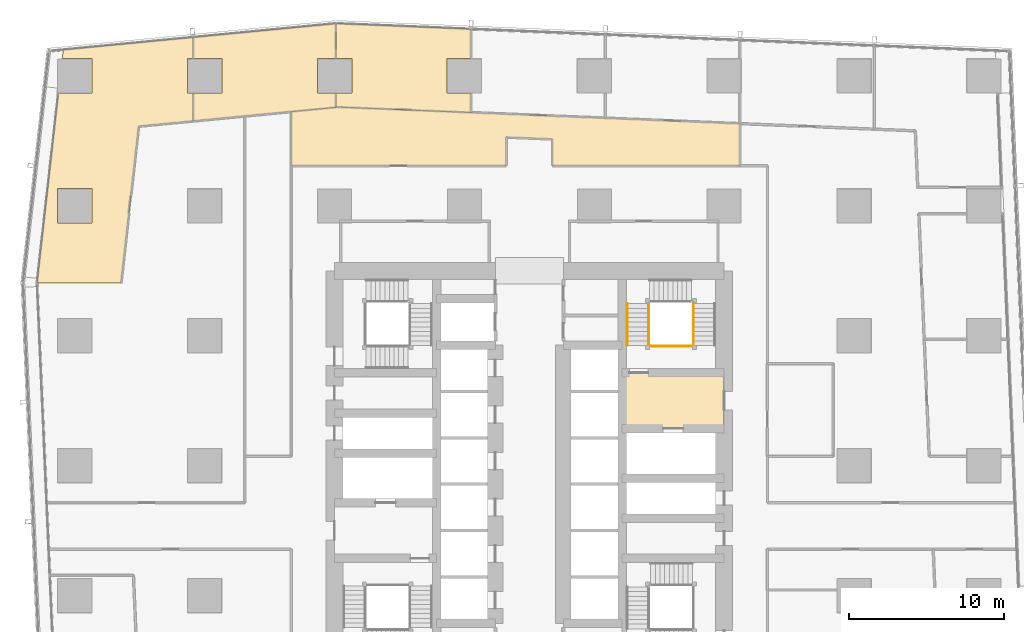
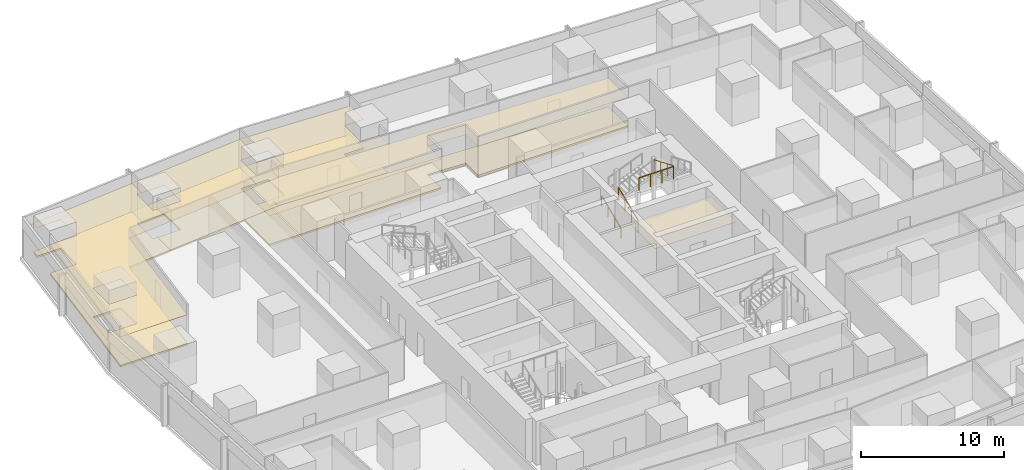
# One storey, part 42 of 44: 9 coverings, 4 railings.
"""IFC4 building model written with IfcOpenShell, lengths in metres."""

import ifcopenshell
import ifcopenshell.guid

model = None  # the IFC model being written
_history = None  # IfcOwnerHistory: only IFC2X3 demands one
_inside = {}  # id of a spatial element -> (the spatial element, [elements in it])
_under = {}  # id of a project, library or spatial element -> (it, [spatial elements below it])
_declared = {}  # id of a project -> (the project, [libraries it declares])
_typed = {}  # id of a type object -> (the type object, [elements of that type])
_made_of = {}  # id of a material, layer set ... -> (it, [elements and type objects made of it])


def new_model(schema):
    """Start an empty IFC model of exactly this schema.

    Asked for "IFC4X3", IfcOpenShell would pick the latest addendum, in which some entities
    have other attributes; the version numbers below select the first issue.
    IFC2X3 requires an IfcOwnerHistory on every rooted entity: one is made here for all.
    """
    global model, _history
    if schema == "IFC4X3":
        model = ifcopenshell.file(schema_version=(4, 3, 0, 0))
    else:
        model = ifcopenshell.file(schema=schema)
    _inside.clear()
    _under.clear()
    _declared.clear()
    _typed.clear()
    _made_of.clear()
    _history = None
    if model.schema == "IFC2X3":
        org = make("IfcOrganization", Name="unknown")
        user = make(
            "IfcPersonAndOrganization",
            ThePerson=make("IfcPerson", FamilyName="unknown"),
            TheOrganization=org,
        )
        app = make(
            "IfcApplication",
            ApplicationDeveloper=org,
            Version="unknown",
            ApplicationFullName="unknown",
            ApplicationIdentifier="unknown",
        )
        _history = make(
            "IfcOwnerHistory",
            OwningUser=user,
            OwningApplication=app,
            ChangeAction="ADDED",
            CreationDate=0,
        )
    return model


def make(cls, **values):
    """One entity of the class cls with the attributes given. An attribute that is None is left unset."""
    return model.create_entity(
        cls, **{name: value for name, value in values.items() if value is not None}
    )


def rooted(cls, **values):
    """An entity with a GlobalId (a new one), such as an element, a storey or a relation."""
    return make(cls, GlobalId=ifcopenshell.guid.new(), OwnerHistory=_history, **values)


def si_unit(unit_type, name, prefix=None):
    """IfcSIUnit, for example si_unit("LENGTHUNIT", "METRE", prefix="MILLI")."""
    return make("IfcSIUnit", UnitType=unit_type, Prefix=prefix, Name=name)


def assignment(units):
    """IfcUnitAssignment: the units of a project."""
    return None if units is None else make("IfcUnitAssignment", Units=units)


def point(xyz):
    """IfcCartesianPoint."""
    return None if xyz is None else make("IfcCartesianPoint", Coordinates=xyz)


def direction(xyz):
    """IfcDirection."""
    return None if xyz is None else make("IfcDirection", DirectionRatios=xyz)


def frame(location, z_axis=None, x_axis=None):
    """IfcAxis2Placement3D, a coordinate frame: its origin and axes. An axis left out is left unset."""
    return make(
        "IfcAxis2Placement3D",
        Location=point(location),
        Axis=direction(z_axis),
        RefDirection=direction(x_axis),
    )


def frame_2d(location, x_axis=None):
    """IfcAxis2Placement2D, a coordinate frame in the plane: its origin and x axis."""
    return make(
        "IfcAxis2Placement2D", Location=point(location), RefDirection=direction(x_axis)
    )


def origin():
    """The frame at (0, 0, 0) with its axes left unset."""
    return frame((0.0, 0.0, 0.0))


def origin_2d():
    """The frame at (0, 0) in the plane with its x axis left unset."""
    return frame_2d((0.0, 0.0))


def place(relative_to, where):
    """IfcLocalPlacement: puts the frame where relative to a parent placement (None: the world)."""
    return make(
        "IfcLocalPlacement", PlacementRelTo=relative_to, RelativePlacement=where
    )


def context(
    kind, dimensions, precision=None, world=None, true_north=None, identifier=None
):
    """IfcGeometricRepresentationContext, for example the 3D "Model" context."""
    return make(
        "IfcGeometricRepresentationContext",
        ContextIdentifier=identifier,
        ContextType=kind,
        CoordinateSpaceDimension=dimensions,
        Precision=precision,
        WorldCoordinateSystem=world,
        TrueNorth=true_north,
    )


def subcontext(parent, identifier, kind, view, scale=None):
    """IfcGeometricRepresentationSubContext, for example "Body" below "Model"."""
    return make(
        "IfcGeometricRepresentationSubContext",
        ContextIdentifier=identifier,
        ContextType=kind,
        ParentContext=parent,
        TargetScale=scale,
        TargetView=view,
    )


def project(units=None, contexts=None):
    """IfcProject with its units and contexts."""
    return rooted(
        "IfcProject",
        Name="project",
        RepresentationContexts=contexts,
        UnitsInContext=assignment(units),
    )


def spatial(cls, under=None, at=None, **own):
    """A site, building, storey or space (cls), placed at a placement, below another one or the project."""
    s = rooted(cls, ObjectPlacement=at, **own)
    if under is not None:
        _under.setdefault(under.id(), (under, []))[1].append(s)
    return s


def polyline(points):
    """IfcPolyline through the points."""
    return make("IfcPolyline", Points=[point(p) for p in points])


def profile(cls, at=None, kind="AREA", **sizes):
    """A parametric profile (cls). Its sizes go by their IFC names, for example OverallWidth=200.0."""
    return make(cls, ProfileType=kind, Position=at, **sizes)


def circle(**sizes):
    """IfcCircleProfileDef."""
    return profile("IfcCircleProfileDef", **sizes)


def outline(outer, holes=None, kind="AREA"):
    """IfcArbitraryClosedProfileDef: a profile drawn as a closed curve; with holes, ...WithVoids."""
    if holes is None:
        return make("IfcArbitraryClosedProfileDef", ProfileType=kind, OuterCurve=outer)
    return make(
        "IfcArbitraryProfileDefWithVoids",
        ProfileType=kind,
        OuterCurve=outer,
        InnerCurves=holes,
    )


def extrude(swept, where, along, depth):
    """IfcExtrudedAreaSolid: the profile swept, set in the frame where, extruded along a direction by depth."""
    return make(
        "IfcExtrudedAreaSolid",
        SweptArea=swept,
        Position=where,
        ExtrudedDirection=direction(along),
        Depth=depth,
    )


def shape(context_of_items, identifier, shape_type, items):
    """IfcShapeRepresentation: the items that make up one representation, for example the "Body"."""
    return make(
        "IfcShapeRepresentation",
        ContextOfItems=context_of_items,
        RepresentationIdentifier=identifier,
        RepresentationType=shape_type,
        Items=items,
    )


def material(Name=None, Category=None):
    """IfcMaterial."""
    return make("IfcMaterial", Name=Name, Category=Category)


def layer(
    of_material, thickness, ventilated=None, Name=None, Category=None, Priority=None
):
    """IfcMaterialLayer: one layer of a wall or slab, of a material (None: an air gap)."""
    return make(
        "IfcMaterialLayer",
        Material=of_material,
        LayerThickness=thickness,
        IsVentilated=ventilated,
        Name=Name,
        Category=Category,
        Priority=Priority,
    )


def layer_set(layers, Name=None):
    """IfcMaterialLayerSet."""
    return make("IfcMaterialLayerSet", MaterialLayers=layers, LayerSetName=Name)


def made_of(thing, what):
    """Note that an element or type object is made of a material, layer set ...; save() writes the relation."""
    if what is not None:
        _made_of.setdefault(what.id(), (what, []))[1].append(thing)
    return thing


def type_object(cls, material=None, **own):
    """A type object (cls), such as IfcWallType, which elements share."""
    return made_of(rooted(cls, **own), material)


def element(
    cls,
    number,
    at=None,
    inside=None,
    cuts=None,
    type_object=None,
    material=None,
    context=None,
    identifier="Body",
    shape_type=None,
    held_by="IfcProductDefinitionShape",
    body=None,
    shapes=None,
    **own,
):
    """One element of the class cls, such as IfcWall. Its Tag is "e" and its number.

    at: its placement. inside: the storey or other place that contains it. cuts: it is an
    opening in that element (IfcRelVoidsElement). A single representation is given by context,
    identifier, shape_type and body (its items); several are given by shapes. held_by: the class
    of the entity that holds the representations. save() writes the other relations.
    """
    e = rooted(cls, Tag="e%d" % number, ObjectPlacement=at, **own)
    if body is not None:
        shapes = [shape(context, identifier, shape_type, body)]
    if shapes is not None:
        e.Representation = make(held_by, Representations=shapes)
    if inside is not None:
        _inside.setdefault(inside.id(), (inside, []))[1].append(e)
    if cuts is not None:
        rooted(
            "IfcRelVoidsElement", RelatingBuildingElement=cuts, RelatedOpeningElement=e
        )
    if type_object is not None:
        _typed.setdefault(type_object.id(), (type_object, []))[1].append(e)
    return made_of(e, material)


def aggregate(whole, parts):
    """IfcRelAggregates: a whole, such as a stair, and the parts it consists of."""
    return rooted("IfcRelAggregates", RelatingObject=whole, RelatedObjects=parts)


def save(model, path):
    """Write the relations noted so far, then the file.

    IfcRelAggregates (storeys below a building ...), IfcRelContainedInSpatialStructure (elements
    in a storey), IfcRelDefinesByType, IfcRelAssociatesMaterial and IfcRelDeclares: one each for
    every whole, place, type object, material and project.
    """
    for whole, parts in _under.values():
        aggregate(whole, parts)
    for where, things in _inside.values():
        rooted(
            "IfcRelContainedInSpatialStructure",
            RelatedElements=things,
            RelatingStructure=where,
        )
    for kind, things in _typed.values():
        rooted("IfcRelDefinesByType", RelatedObjects=things, RelatingType=kind)
    for what, things in _made_of.values():
        rooted("IfcRelAssociatesMaterial", RelatedObjects=things, RelatingMaterial=what)
    for by, libraries in _declared.values():
        rooted("IfcRelDeclares", RelatingContext=by, RelatedDefinitions=libraries)
    model.write(path)


model = new_model("IFC4")

# Units and contexts
model_context = context("Model", 3, precision=1e-05, world=origin(), true_north=direction((0.0, 1.0)))
body_context = subcontext(model_context, "Body", "Model", "MODEL_VIEW")
ifc_project = project(units=[si_unit("LENGTHUNIT", "METRE"), si_unit("AREAUNIT", "SQUARE_METRE"), si_unit("VOLUMEUNIT", "CUBIC_METRE"), si_unit("PLANEANGLEUNIT", "RADIAN"), si_unit("MASSUNIT", "GRAM", prefix="KILO")], contexts=[model_context])

# Site, building, storey
site_placement = place(None, origin())
site = spatial("IfcSite", under=ifc_project, at=site_placement, CompositionType="ELEMENT")
building_placement = place(site_placement, origin())
building = spatial("IfcBuilding", under=site, at=building_placement, Name="Rekha Terrace Tower", CompositionType="ELEMENT")
storey_placement = place(building_placement, frame((0.0, 0.0, 74.14990234375)))
storey = spatial("IfcBuildingStorey", under=building, at=storey_placement, Name="L18", CompositionType="ELEMENT", Elevation=74.14990234375)

# Coverings
ifc_material_1 = material(Name="Mineral fibre tile in exposed grid", Category="finish")
ifc_layer_1 = layer(ifc_material_1, 0.02001953125)
ifc_layer_set_1 = layer_set([ifc_layer_1], Name="Mineral fibre tile in exposed grid")
covering_type_1 = type_object("IfcCoveringType", Name="CL1 600x1200 office grid ceiling", PredefinedType="CEILING", material=ifc_layer_set_1)
covering_1_placement = place(storey_placement, frame((0.0, 0.0, 2.580078125)))
element("IfcCovering", 1, at=covering_1_placement, inside=storey, type_object=covering_type_1, Name="Ceiling L18-14", PredefinedType="CEILING", context=body_context, shape_type="SweptSolid", body=[
    extrude(outline(polyline([(34.02099609375, 59.9150390625), (34.02099609375, 61.842041015625), (25.291015625, 62.200927734375), (25.291015625, 59.9150390625), (26.31494140625, 59.9150390625), (26.31494140625, 57.68505859375), (25.291015625, 57.68505859375), (25.291015625, 56.797119140625), (34.02099609375, 56.43701171875), (34.02099609375, 57.68505859375), (32.485107421875, 57.68505859375), (32.485107421875, 59.9150390625), (34.02099609375, 59.9150390625)])), origin(), (0.0, 0.0, 1.0), 0.02001953125),
])
covering_2_placement = place(storey_placement, frame((0.0, 0.0, 2.580078125)))
element("IfcCovering", 2, at=covering_2_placement, inside=storey, type_object=covering_type_1, Name="Ceiling L18-15", PredefinedType="CEILING", context=body_context, shape_type="SweptSolid", body=[
    extrude(outline(polyline([(25.2900390625, 59.9150390625), (25.2900390625, 62.197021484375), (16.053955078125, 61.30810546875), (16.053955078125, 59.9150390625), (17.9150390625, 59.9150390625), (17.9150390625, 57.68505859375), (16.053955078125, 57.68505859375), (16.053955078125, 55.884033203125), (25.2900390625, 56.77197265625), (25.2900390625, 57.68505859375), (24.0849609375, 57.68505859375), (24.0849609375, 59.9150390625), (25.2900390625, 59.9150390625)])), origin(), (0.0, 0.0, 1.0), 0.02001953125),
])
covering_3_placement = place(storey_placement, frame((0.0, 0.0, 2.580078125)))
element("IfcCovering", 3, at=covering_3_placement, inside=storey, type_object=covering_type_1, Name="Ceiling L18-16", PredefinedType="CEILING", context=body_context, shape_type="SweptSolid", body=[
    extrude(outline(polyline([(16.052978515625, 59.9150390625), (16.052978515625, 61.30810546875), (7.655029296875, 60.5009765625), (7.589111328125, 59.9150390625), (9.514892578125, 59.9150390625), (9.514892578125, 57.68505859375), (7.337890625, 57.68505859375), (5.958984375, 45.412109375), (11.39306640625, 45.412109375), (12.531982421875, 55.544921875), (16.052978515625, 55.883056640625), (16.052978515625, 57.68505859375), (15.68505859375, 57.68505859375), (15.68505859375, 59.9150390625), (16.052978515625, 59.9150390625)]), holes=[polyline([(9.514892578125, 51.514892578125), (9.514892578125, 49.284912109375), (7.284912109375, 49.284912109375), (7.284912109375, 51.514892578125), (9.514892578125, 51.514892578125)])]), origin(), (0.0, 0.0, 1.0), 0.02001953125),
])
covering_4_placement = place(storey_placement, frame((0.0, 0.0, 2.580078125)))
element("IfcCovering", 4, at=covering_4_placement, inside=storey, type_object=covering_type_1, Name="Ceiling L18-O3", PredefinedType="CEILING", context=body_context, shape_type="SweptSolid", body=[
    extrude(outline(polyline([(25.47412109375, 56.7890625), (25.291015625, 56.77197265625), (22.39990234375, 56.493896484375), (22.39990234375, 53.0), (36.300048828125, 53.0), (36.300048828125, 54.842041015625), (39.300048828125, 54.718017578125), (39.300048828125, 53.0), (51.4150390625, 53.0), (51.4150390625, 55.719970703125), (42.718017578125, 56.077880859375), (34.02099609375, 56.43701171875), (25.47412109375, 56.7890625)])), origin(), (0.0, 0.0, 1.0), 0.02001953125),
])
ifc_material_2 = material(Name="Powder-coated aluminium pan", Category="aluminium")
ifc_layer_2 = layer(ifc_material_2, 0.030029296875)
ifc_layer_set_2 = layer_set([ifc_layer_2], Name="Powder-coated aluminium pan")
covering_type_2 = type_object("IfcCoveringType", Name="CL3 300x1200 metal pan ceiling", PredefinedType="CEILING", material=ifc_layer_set_2)
covering_5_placement = place(storey_placement, frame((0.0, 0.0, 2.570068359375)))
element("IfcCovering", 5, at=covering_5_placement, inside=storey, type_object=covering_type_2, Name="Ceiling L18-FLB2", PredefinedType="CEILING", context=body_context, shape_type="SweptSolid", body=[
    extrude(outline(polyline([(50.39990234375, 39.60009765625), (43.800048828125, 39.60009765625), (43.800048828125, 36.0), (50.39990234375, 36.0), (50.39990234375, 39.60009765625)])), origin(), (0.0, 0.0, 1.0), 0.030029296875),
])

# Railings
ifc_material_3 = material(Name="Stainless steel balustrade", Category="steel")
railing_type_1 = type_object("IfcRailingType", Name="GR1 1100 stair guard", PredefinedType="GUARDRAIL", material=ifc_material_3)
railing_1_placement = place(storey_placement, frame((45.514892578125, 41.375, 0.125)))
element("IfcRailing", 6, at=railing_1_placement, inside=storey, type_object=railing_type_1, Name="Guard ST2 L18 flight 1", PredefinedType="GUARDRAIL", context=body_context, shape_type="SweptSolid", body=[
    extrude(circle(Radius=0.02392578125, at=origin_2d()), frame((0.0, 0.0, 1.076171875), z_axis=(0.0, 0.923074453586, 0.384621311341), x_axis=(-1.0, 0.0, 0.0)), (0.0, 0.0, 1.0), 2.925048828125),
    extrude(circle(Radius=0.02099609375, at=origin_2d()), origin(), (0.0, 0.0, 1.0), 1.052001953125),
    extrude(circle(Radius=0.02099609375, at=origin_2d()), frame((0.0, 0.89990234375, 0.375)), (0.0, 0.0, 1.0), 1.052001953125),
    extrude(circle(Radius=0.02099609375, at=origin_2d()), frame((0.0, 1.800048828125, 0.75)), (0.0, 0.0, 1.0), 1.052001953125),
    extrude(circle(Radius=0.02099609375, at=origin_2d()), frame((0.0, 2.699951171875, 1.125)), (0.0, 0.0, 1.0), 1.052001953125),
])
railing_2_placement = place(storey_placement, frame((48.409912109375, 44.074951171875, 2.625)))
element("IfcRailing", 7, at=railing_2_placement, inside=storey, type_object=railing_type_1, Name="Guard ST2 L18 flight 3", PredefinedType="GUARDRAIL", context=body_context, shape_type="SweptSolid", body=[
    extrude(circle(Radius=0.02392578125, at=origin_2d()), frame((0.0, 0.0, 1.076171875), z_axis=(0.0, -0.923074453586, 0.384621311341), x_axis=(1.0, 0.0, 0.0)), (0.0, 0.0, 1.0), 2.925048828125),
    extrude(circle(Radius=0.02099609375, at=origin_2d()), origin(), (0.0, 0.0, 1.0), 1.052001953125),
    extrude(circle(Radius=0.02099609375, at=origin_2d()), frame((0.0, -0.89990234375, 0.375)), (0.0, 0.0, 1.0), 1.052001953125),
    extrude(circle(Radius=0.02099609375, at=origin_2d()), frame((0.0, -1.800048828125, 0.75)), (0.0, 0.0, 1.0), 1.052001953125),
    extrude(circle(Radius=0.02099609375, at=origin_2d()), frame((0.0, -2.699951171875, 1.125)), (0.0, 0.0, 1.0), 1.052001953125),
])
railing_3_placement = place(storey_placement, frame((45.574951171875, 41.31494140625, 3.75)))
element("IfcRailing", 8, at=railing_3_placement, inside=storey, type_object=railing_type_1, Name="Guard ST2 L18 landing 4", PredefinedType="GUARDRAIL", context=body_context, shape_type="SweptSolid", body=[
    extrude(circle(Radius=0.02392578125, at=origin_2d()), frame((0.0, 0.0, 1.076171875), z_axis=(1.0, 0.0, 0.0), x_axis=(0.0, 1.0, 0.0)), (0.0, 0.0, 1.0), 2.775146484375),
    extrude(circle(Radius=0.02099609375, at=origin_2d()), origin(), (0.0, 0.0, 1.0), 1.052001953125),
    extrude(circle(Radius=0.02099609375, at=origin_2d()), frame((0.925048828125, 0.0, 0.0)), (0.0, 0.0, 1.0), 1.052001953125),
    extrude(circle(Radius=0.02099609375, at=origin_2d()), frame((1.85009765625, 0.0, 0.0)), (0.0, 0.0, 1.0), 1.052001953125),
    extrude(circle(Radius=0.02099609375, at=origin_2d()), frame((2.775146484375, 0.0, 0.0)), (0.0, 0.0, 1.0), 1.052001953125),
])
ifc_material_4 = material(Name="Stainless steel tube", Category="steel")
railing_type_2 = type_object("IfcRailingType", Name="HR1 900 stair handrail", PredefinedType="HANDRAIL", material=ifc_material_4)
railing_4_placement = place(storey_placement, frame((44.135009765625, 41.375, 0.125)))
element("IfcRailing", 9, at=railing_4_placement, inside=storey, type_object=railing_type_2, Name="Handrail ST2 L18 flight 1", PredefinedType="HANDRAIL", context=body_context, shape_type="SweptSolid", body=[
    extrude(circle(Radius=0.02392578125, at=origin_2d()), frame((0.0, 0.0, 0.8759765625), z_axis=(0.0, 0.923074453586, 0.384621311341), x_axis=(-1.0, 0.0, 0.0)), (0.0, 0.0, 1.0), 2.925048828125),
    extrude(circle(Radius=0.02099609375, at=origin_2d()), origin(), (0.0, 0.0, 1.0), 0.851806640625),
    extrude(circle(Radius=0.02099609375, at=origin_2d()), frame((0.0, 0.89990234375, 0.375)), (0.0, 0.0, 1.0), 0.851806640625),
    extrude(circle(Radius=0.02099609375, at=origin_2d()), frame((0.0, 1.800048828125, 0.75)), (0.0, 0.0, 1.0), 0.851806640625),
    extrude(circle(Radius=0.02099609375, at=origin_2d()), frame((0.0, 2.699951171875, 1.125)), (0.0, 0.0, 1.0), 0.851806640625),
])

# Coverings
ifc_material_5 = material(Name="Calcium sulphate panels on steel pedestals", Category="steel")
ifc_layer_3 = layer(ifc_material_5, 0.14990234375)
ifc_layer_set_3 = layer_set([ifc_layer_3], Name="Calcium sulphate panels on steel pedestals")
covering_type_3 = type_object("IfcCoveringType", Name="RF1 150 raised access floor", PredefinedType="FLOORING", material=ifc_layer_set_3)
covering_6_placement = place(storey_placement, origin())
element("IfcCovering", 10, at=covering_6_placement, inside=storey, type_object=covering_type_3, Name="Raised floor L18-14", PredefinedType="FLOORING", context=body_context, shape_type="SweptSolid", body=[
    extrude(outline(polyline([(34.02099609375, 59.9150390625), (34.02099609375, 61.842041015625), (25.291015625, 62.200927734375), (25.291015625, 59.9150390625), (26.31494140625, 59.9150390625), (26.31494140625, 57.68505859375), (25.291015625, 57.68505859375), (25.291015625, 56.797119140625), (34.02099609375, 56.43701171875), (34.02099609375, 57.68505859375), (32.485107421875, 57.68505859375), (32.485107421875, 59.9150390625), (34.02099609375, 59.9150390625)])), origin(), (0.0, 0.0, 1.0), 0.150146484375),
])
covering_7_placement = place(storey_placement, origin())
element("IfcCovering", 11, at=covering_7_placement, inside=storey, type_object=covering_type_3, Name="Raised floor L18-15", PredefinedType="FLOORING", context=body_context, shape_type="SweptSolid", body=[
    extrude(outline(polyline([(25.2900390625, 59.9150390625), (25.2900390625, 62.197021484375), (16.053955078125, 61.30810546875), (16.053955078125, 59.9150390625), (17.9150390625, 59.9150390625), (17.9150390625, 57.68505859375), (16.053955078125, 57.68505859375), (16.053955078125, 55.884033203125), (25.2900390625, 56.77197265625), (25.2900390625, 57.68505859375), (24.0849609375, 57.68505859375), (24.0849609375, 59.9150390625), (25.2900390625, 59.9150390625)])), origin(), (0.0, 0.0, 1.0), 0.150146484375),
])
covering_8_placement = place(storey_placement, origin())
element("IfcCovering", 12, at=covering_8_placement, inside=storey, type_object=covering_type_3, Name="Raised floor L18-16", PredefinedType="FLOORING", context=body_context, shape_type="SweptSolid", body=[
    extrude(outline(polyline([(16.052978515625, 59.9150390625), (16.052978515625, 61.30810546875), (7.655029296875, 60.5009765625), (7.589111328125, 59.9150390625), (9.514892578125, 59.9150390625), (9.514892578125, 57.68505859375), (7.337890625, 57.68505859375), (5.958984375, 45.412109375), (11.39306640625, 45.412109375), (12.531982421875, 55.544921875), (16.052978515625, 55.883056640625), (16.052978515625, 57.68505859375), (15.68505859375, 57.68505859375), (15.68505859375, 59.9150390625), (16.052978515625, 59.9150390625)]), holes=[polyline([(9.514892578125, 51.514892578125), (9.514892578125, 49.284912109375), (7.284912109375, 49.284912109375), (7.284912109375, 51.514892578125), (9.514892578125, 51.514892578125)])]), origin(), (0.0, 0.0, 1.0), 0.150146484375),
])
covering_9_placement = place(storey_placement, origin())
element("IfcCovering", 13, at=covering_9_placement, inside=storey, type_object=covering_type_3, Name="Raised floor L18-O3", PredefinedType="FLOORING", context=body_context, shape_type="SweptSolid", body=[
    extrude(outline(polyline([(25.47412109375, 56.7890625), (25.291015625, 56.77197265625), (22.39990234375, 56.493896484375), (22.39990234375, 53.0), (36.300048828125, 53.0), (36.300048828125, 54.842041015625), (39.300048828125, 54.718017578125), (39.300048828125, 53.0), (51.4150390625, 53.0), (51.4150390625, 55.719970703125), (42.718017578125, 56.077880859375), (34.02099609375, 56.43701171875), (25.47412109375, 56.7890625)])), origin(), (0.0, 0.0, 1.0), 0.150146484375),
])

save(model, "model.ifc")
